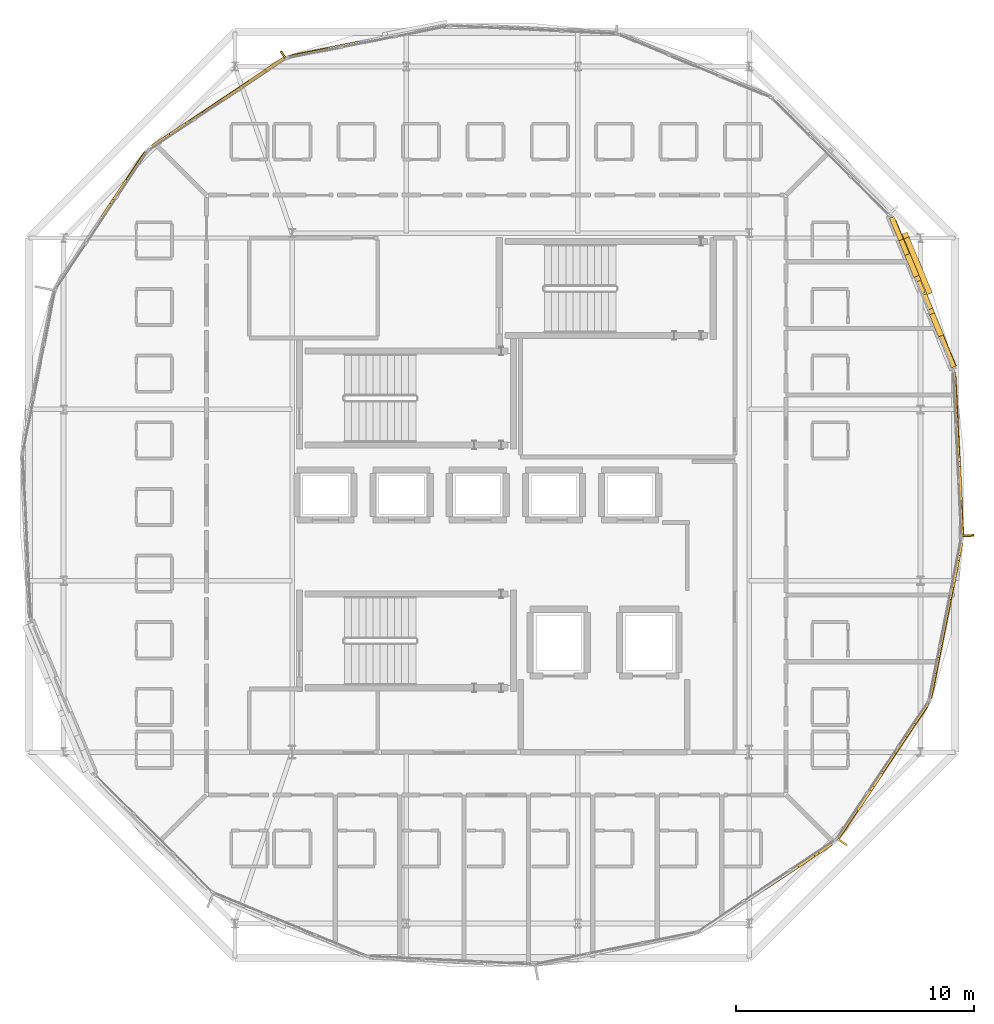
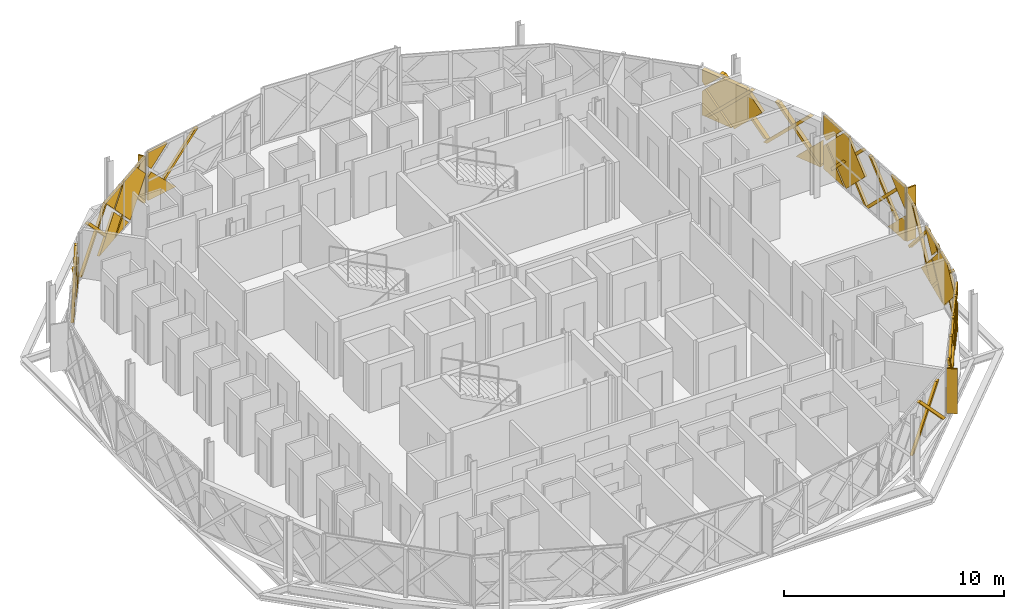
# One storey, part 23 of 24: 47 coverings, 3 shading devices.
"""IFC4 building model written with IfcOpenShell, lengths in metres."""

from ifc_helpers import new_model, si_unit, direction, frame, origin, origin_2d, place, context, subcontext, project, spatial, polyline, rectangle, outline, extrude, material, layer, layer_set, type_object, element, save


model = new_model("IFC4")

# Units and contexts
model_context = context("Model", 3, precision=1e-05, world=origin(), true_north=direction((0.0, 1.0)))
body_context = subcontext(model_context, "Body", "Model", "MODEL_VIEW")
ifc_project = project(units=[si_unit("LENGTHUNIT", "METRE"), si_unit("AREAUNIT", "SQUARE_METRE"), si_unit("VOLUMEUNIT", "CUBIC_METRE"), si_unit("PLANEANGLEUNIT", "RADIAN"), si_unit("MASSUNIT", "GRAM", prefix="KILO")], contexts=[model_context])

# Site, building, storey
site_placement = place(None, origin())
site = spatial("IfcSite", under=ifc_project, at=site_placement, CompositionType="ELEMENT")
building_placement = place(site_placement, origin())
building = spatial("IfcBuilding", under=site, at=building_placement, Name="Zevrakil Square Congress Hotel", CompositionType="ELEMENT")
storey_placement = place(building_placement, frame((0.0, 0.0, 38.5)))
storey = spatial("IfcBuildingStorey", under=building, at=storey_placement, Name="L11", CompositionType="ELEMENT", Elevation=38.5)

# Coverings
ifc_material_1 = material(Name="Architectural White Fibre-C GRC", Category="concrete")
ifc_layer_1 = layer(ifc_material_1, 0.06494140625)
ifc_layer_set_1 = layer_set([ifc_layer_1], Name="Architectural White Fibre-C GRC")
covering_type_1 = type_object("IfcCoveringType", Name="COV-DIA-WHITE", PredefinedType="CLADDING", material=ifc_layer_set_1)
covering_1_placement = place(storey_placement, frame((160.574951171875, 14.345703125, 0.080078125), z_axis=(0.831437027782, -0.555618788453, 0.000480365651), x_axis=(-0.555618852558, -0.831437123709, 0.0)))
element("IfcCovering", 1, at=covering_1_placement, inside=storey, type_object=covering_type_1, Name="L11 45-degree white GRC diamond facade cassette 3240", PredefinedType="CLADDING", context=body_context, shape_type="SweptSolid", body=[
    extrude(outline(polyline([(0.0, 0.0), (1.4100444252712594, 0.0), (1.4099097483810488, -1.4099122720444544), (0.0, 0.0)])), origin(), (0.0, 0.0, -1.0), 0.1201171875),
])
covering_2_placement = place(storey_placement, frame((163.46875, 18.677978515625, 1.590087890625), z_axis=(0.831483272257, -0.555549473724, 0.000591779476), x_axis=(0.393264991967, 0.58784125699, -0.706954950951)))
element("IfcCovering", 2, at=covering_2_placement, inside=storey, type_object=covering_type_1, Name="L11 45-degree white GRC diamond facade cassette 3241", PredefinedType="CLADDING", context=body_context, shape_type="SweptSolid", body=[
    extrude(outline(polyline([(0.0, 0.0), (0.262804522692906, 0.0), (1.198968528166046, -0.936564476282272), (-0.000346135681152937, -2.135364610145789), (0.0, 0.0)])), origin(), (0.0, 0.0, -1.0), 0.1201171875),
])
covering_3_placement = place(storey_placement, frame((163.418701171875, 18.603271484375, 1.679931640625), z_axis=(0.831478059453, -0.555557213513, 0.000647426968), x_axis=(-0.392471481488, -0.588218821993, -0.70708185783)))
element("IfcCovering", 3, at=covering_3_placement, inside=storey, type_object=covering_type_1, Name="L11 45-degree white GRC diamond facade cassette 3242", PredefinedType="CLADDING", context=body_context, shape_type="SweptSolid", body=[
    extrude(outline(polyline([(0.0, 0.0), (2.24845772033732, 0.0), (2.2486165728098086, -2.2484589853932544), (0.9263044193627555, -2.248566122470276), (3.4484981525140235e-05, -1.3223610267908612), (0.0, 0.0)])), origin(), (0.0, 0.0, -1.0), 0.1201171875),
])
covering_4_placement = place(storey_placement, frame((163.46875, 18.67822265625, 1.77001953125), z_axis=(0.831464192851, -0.555577886889, 0.000712465011), x_axis=(-0.393306459199, -0.587706064329, 0.707044278036)))
element("IfcCovering", 4, at=covering_4_placement, inside=storey, type_object=covering_type_1, Name="L11 45-degree white GRC diamond facade cassette 3243", PredefinedType="CLADDING", context=body_context, shape_type="SweptSolid", body=[
    extrude(outline(polyline([(0.0, 0.0), (1.1950745916295775, 1.1102230246251565e-16), (0.4662777330810106, -0.7286684771699515), (0.00015994559275783748, -0.26256509653317595), (0.0, 0.0)])), origin(), (0.0, 0.0, -1.0), 0.1201171875),
])
covering_5_placement = place(storey_placement, frame((164.297119140625, 22.2451171875, 1.590087890625), z_axis=(0.980788280172, -0.195074358725, 0.000586553491), x_axis=(0.138339886369, 0.693414389116, -0.707134047268)))
element("IfcCovering", 5, at=covering_5_placement, inside=storey, type_object=covering_type_1, Name="L11 45-degree white GRC diamond facade cassette 3248", PredefinedType="CLADDING", context=body_context, shape_type="SweptSolid", body=[
    extrude(outline(polyline([(0.0, 0.0), (2.135393948938125, -2.220446049250313e-16), (6.252448376709019e-05, -2.1354968457710672), (0.0, 0.0)])), origin(), (0.0, 0.0, -1.0), 0.1201171875),
])
covering_6_placement = place(storey_placement, frame((164.279296875, 22.15673828125, 1.679931640625), z_axis=(0.980787453977, -0.195078516261, 0.000585332845), x_axis=(-0.137537965889, -0.693615058865, -0.707093669929)))
element("IfcCovering", 6, at=covering_6_placement, inside=storey, type_object=covering_type_1, Name="L11 45-degree white GRC diamond facade cassette 3249", PredefinedType="CLADDING", context=body_context, shape_type="SweptSolid", body=[
    extrude(outline(polyline([(0.0, 0.0), (2.248420419782244, -2.220446049250313e-16), (2.2486724323035143, -2.2344341328283837), (2.2345167484816852, -2.248590336757846), (0.7283909774472702, -2.2485469719157805), (2.846291802305334e-05, -1.5202112273361292), (0.0, 0.0)])), origin(), (0.0, 0.0, -1.0), 0.1201171875),
])
covering_7_placement = place(storey_placement, frame((164.296875, 22.2451171875, 1.77001953125), z_axis=(0.980789728383, -0.195067353105, 0.00048626164), x_axis=(-0.138285927025, -0.693532843142, 0.707028427908)))
element("IfcCovering", 7, at=covering_7_placement, inside=storey, type_object=covering_type_1, Name="L11 45-degree white GRC diamond facade cassette 3250", PredefinedType="CLADDING", context=body_context, shape_type="SweptSolid", body=[
    extrude(outline(polyline([(0.0, 0.0), (1.3929613610637026, 1.1102230246251565e-16), (-0.00017364131932107174, -1.392826641194671), (0.0, 0.0)])), origin(), (0.0, 0.0, -1.0), 0.1201171875),
])
covering_8_placement = place(storey_placement, frame((164.936767578125, 27.351806640625, 0.080078125), z_axis=(0.998798406038, 0.049004845511, 0.000518856315), x_axis=(0.049004852108, -0.998798540482, 0.0)))
element("IfcCovering", 8, at=covering_8_placement, inside=storey, type_object=covering_type_1, Name="L11 45-degree white GRC diamond facade cassette 3255", PredefinedType="CLADDING", context=body_context, shape_type="SweptSolid", body=[
    extrude(outline(polyline([(0.0, 0.0), (1.409897059240561, 0.0), (1.4098611670148964, -1.4099122991575799), (0.0, 0.0)])), origin(), (0.0, 0.0, -1.0), 0.1201171875),
])
covering_9_placement = place(storey_placement, frame((164.680419921875, 32.555419921875, 1.590087890625), z_axis=(0.99878794559, 0.049217903302, 0.000487584763), x_axis=(-0.034459135747, 0.706290394167, -0.707083055284)))
element("IfcCovering", 9, at=covering_9_placement, inside=storey, type_object=covering_type_1, Name="L11 45-degree white GRC diamond facade cassette 3256", PredefinedType="CLADDING", context=body_context, shape_type="SweptSolid", body=[
    extrude(outline(polyline([(0.0, 0.0), (0.30177340021091126, 0.0), (1.2185738712090186, -0.9169127594483553), (-6.3531525189564064e-06, -2.1354114338640446), (0.0, 0.0)])), origin(), (0.0, 0.0, -1.0), 0.1201171875),
])
covering_10_placement = place(storey_placement, frame((164.684814453125, 32.465576171875, 1.679931640625), z_axis=(0.998799810552, 0.048974523857, 0.00065913126), x_axis=(0.035095776133, -0.706236144985, -0.707105928426)))
element("IfcCovering", 10, at=covering_10_placement, inside=storey, type_object=covering_type_1, Name="L11 45-degree white GRC diamond facade cassette 3257", PredefinedType="CLADDING", context=body_context, shape_type="SweptSolid", body=[
    extrude(outline(polyline([(0.0, 0.0), (2.248381256977444, 0.0), (2.2484905066596963, -2.2484860318572206), (0.28270633149256175, -2.2486545281806385), (-0.0002322015715268133, -1.965716493798272), (0.0, 0.0)])), origin(), (0.0, 0.0, -1.0), 0.1201171875),
])
covering_11_placement = place(storey_placement, frame((165.0048828125, 25.943603515625, 1.8701171875), z_axis=(0.998797385346, 0.049024474515, 0.000619616812), x_axis=(-0.000610376272, -0.000203458757, 0.999999793023)))
element("IfcCovering", 11, at=covering_11_placement, inside=storey, type_object=covering_type_1, Name="L11 45-degree white GRC diamond facade cassette 3258", PredefinedType="CLADDING", context=body_context, shape_type="SweptSolid", body=[
    extrude(outline(polyline([(0.0, 0.0), (1.1999514202377668, 5.421010862427522e-20), (1.1997434412783978, -1.2001735669591904), (0.0, 0.0)])), origin(), (0.0, 0.0, -1.0), 0.1201171875),
])
covering_12_placement = place(storey_placement, frame((164.68017578125, 32.555419921875, 1.77001953125), z_axis=(0.998799115191, 0.048989504554, 0.000596605037), x_axis=(0.034217001188, -0.706228891304, 0.707156241517)))
element("IfcCovering", 12, at=covering_12_placement, inside=storey, type_object=covering_type_1, Name="L11 45-degree white GRC diamond facade cassette 3259", PredefinedType="CLADDING", context=body_context, shape_type="SweptSolid", body=[
    extrude(outline(polyline([(0.0, 0.0), (1.838418021567899, -2.220446049250313e-16), (0.7684314408977088, -1.0701367332707652), (1.1084454739018756e-05, -0.3017734048729823), (0.0, 0.0)])), origin(), (0.0, 0.0, -1.0), 0.1201171875),
])
covering_13_placement = place(storey_placement, frame((164.150146484375, 34.323974609375, 0.080078125), z_axis=(0.923894304185, 0.382647378607, 0.000546204379), x_axis=(0.382647435687, -0.923894442002, 0.0)))
element("IfcCovering", 13, at=covering_13_placement, inside=storey, type_object=covering_type_1, Name="L11 45-degree white GRC diamond facade cassette 3264", PredefinedType="CLADDING", context=body_context, shape_type="SweptSolid", body=[
    extrude(outline(polyline([(0.0, 0.0), (1.4100467713356626, -5.421010862427522e-20), (1.4099920721498573, -1.4099123196910894), (0.0, 0.0)])), origin(), (0.0, 0.0, -1.0), 0.2099609375),
])
covering_14_placement = place(storey_placement, frame((162.155517578125, 39.136962890625, 1.590087890625), z_axis=(0.92386810369, 0.382710638562, 0.000542324282), x_axis=(-0.270236009364, 0.653355103566, -0.707177211092)))
element("IfcCovering", 14, at=covering_14_placement, inside=storey, type_object=covering_type_1, Name="L11 45-degree white GRC diamond facade cassette 3265", PredefinedType="CLADDING", context=body_context, shape_type="SweptSolid", body=[
    extrude(outline(polyline([(0.0, 0.0), (0.26272196635071365, 2.7755575615628914e-17), (1.1991408726097759, -0.9363095231817212), (0.00019873089311528425, -2.135490849810203), (0.0, 0.0)])), origin(), (0.0, 0.0, -1.0), 0.2099609375),
])
covering_15_placement = place(storey_placement, frame((162.18994140625, 39.0537109375, 1.679931640625), z_axis=(0.92385476621, 0.382742685687, 0.00063836083), x_axis=(0.271063503858, -0.653107011527, -0.707089674915)))
element("IfcCovering", 15, at=covering_15_placement, inside=storey, type_object=covering_type_1, Name="L11 45-degree white GRC diamond facade cassette 3266", PredefinedType="CLADDING", context=body_context, shape_type="SweptSolid", body=[
    extrude(outline(polyline([(0.0, 0.0), (2.2484328962418907, 0.0), (2.248556698348155, -2.248448852619614), (0.9262631977728275, -2.248559885983574), (-5.904174442106225e-05, -1.3222821618463294), (0.0, 0.0)])), origin(), (0.0, 0.0, -1.0), 0.2099609375),
])
covering_16_placement = place(storey_placement, frame((162.155517578125, 39.136962890625, 1.77001953125), z_axis=(0.923918101446, 0.382589810479, 0.000615416575), x_axis=(0.270145401407, -0.65351287383, 0.707066040647)))
element("IfcCovering", 16, at=covering_16_placement, inside=storey, type_object=covering_type_1, Name="L11 45-degree white GRC diamond facade cassette 3267", PredefinedType="CLADDING", context=body_context, shape_type="SweptSolid", body=[
    extrude(outline(polyline([(0.0, 0.0), (1.19503795671964, 0.0), (0.4661222965424733, -0.7288318738356204), (-5.4870747414392795e-05, -0.2627880767490778), (0.0, 0.0)])), origin(), (0.0, 0.0, -1.0), 0.2099609375),
])
covering_17_placement = place(storey_placement, frame((136.829833984375, 46.097412109375, 1.590087890625), z_axis=(-0.194971723674, 0.980808707154, 0.000554020218), x_axis=(-0.693402920388, -0.137439738844, -0.707320795809)))
element("IfcCovering", 17, at=covering_17_placement, inside=storey, type_object=covering_type_1, Name="L11 45-degree white GRC diamond facade cassette 3295", PredefinedType="CLADDING", context=body_context, shape_type="SweptSolid", body=[
    extrude(outline(polyline([(0.0, 0.0), (0.26266864882056007, -5.551115123125783e-17), (1.1993847328466603, -0.936012217217322), (0.0007631263820329082, -2.1353600516351436), (0.0, 0.0)])), origin(), (0.0, 0.0, -1.0), 0.1201171875),
])
covering_18_placement = place(storey_placement, frame((136.829833984375, 46.09716796875, 1.77001953125), z_axis=(-0.195202943681, 0.980762680126, 0.000613229726), x_axis=(0.693598359684, 0.137605999384, 0.707096814006)))
element("IfcCovering", 18, at=covering_18_placement, inside=storey, type_object=covering_type_1, Name="L11 45-degree white GRC diamond facade cassette 3297", PredefinedType="CLADDING", context=body_context, shape_type="SweptSolid", body=[
    extrude(outline(polyline([(0.0, 0.0), (1.3928266519740102, 0.0), (0.5649965003585307, -0.8278071160206792), (4.2237604014366825e-05, -0.2627023425659295), (0.0, 0.0)])), origin(), (0.0, 0.0, -1.0), 0.1201171875),
])
covering_19_placement = place(storey_placement, frame((133.721923828125, 44.160888671875, 1.590087890625), z_axis=(-0.55561388907, 0.831440251576, 0.000560652442), x_axis=(-0.588172468812, -0.392572256151, -0.707064474169)))
element("IfcCovering", 19, at=covering_19_placement, inside=storey, type_object=covering_type_1, Name="L11 45-degree white GRC diamond facade cassette 3302", PredefinedType="CLADDING", context=body_context, shape_type="SweptSolid", body=[
    extrude(outline(polyline([(0.0, 0.0), (2.135604065526496, 2.220446049250313e-16), (-1.6773891793997464e-05, -2.1353659801476814), (0.0, 0.0)])), origin(), (0.0, 0.0, -1.0), 0.1201171875),
])
covering_20_placement = place(storey_placement, frame((133.796875, 44.210693359375, 1.679931640625), z_axis=(-0.55557855826, 0.831463837015, 0.000594423054), x_axis=(0.587746316859, 0.393233625323, -0.707051329773)))
element("IfcCovering", 20, at=covering_20_placement, inside=storey, type_object=covering_type_1, Name="L11 45-degree white GRC diamond facade cassette 3303", PredefinedType="CLADDING", context=body_context, shape_type="SweptSolid", body=[
    extrude(outline(polyline([(0.0, 0.0), (2.2485549959864666, -2.220446049250313e-16), (2.2488002232450603, -2.234293488635683), (2.234645387053314, -2.248450539961537), (0.9264486368445496, -2.2485729934455434), (-4.855077620935511e-06, -1.3222643807693255), (0.0, 0.0)])), origin(), (0.0, 0.0, -1.0), 0.1201171875),
])
covering_21_placement = place(storey_placement, frame((133.721923828125, 44.16064453125, 1.77001953125), z_axis=(-0.555533367766, 0.831494026395, 0.000601138715), x_axis=(0.588195632806, 0.392470931094, 0.707101453679)))
element("IfcCovering", 21, at=covering_21_placement, inside=storey, type_object=covering_type_1, Name="L11 45-degree white GRC diamond facade cassette 3304", PredefinedType="CLADDING", context=body_context, shape_type="SweptSolid", body=[
    extrude(outline(polyline([(0.0, 0.0), (1.1949780314114054, 1.1102230246251565e-16), (0.00012534663264363033, -1.1948351121512695), (0.0, 0.0)])), origin(), (0.0, 0.0, -1.0), 0.1201171875),
])
covering_22_placement = place(storey_placement, frame((129.824951171875, 40.854248046875, 0.080078125), z_axis=(-0.831436961663, 0.555618744269, 0.000624337381), x_axis=(0.555618852558, 0.831437123709, 0.0)))
element("IfcCovering", 22, at=covering_22_placement, inside=storey, type_object=covering_type_1, Name="L11 45-degree white GRC diamond facade cassette 3309", PredefinedType="CLADDING", context=body_context, shape_type="SweptSolid", body=[
    extrude(outline(polyline([(0.0, 0.0), (1.4100444252712594, 5.421010862427522e-20), (1.410045397514974, -1.409912384164952), (0.0, 0.0)])), origin(), (0.0, 0.0, -1.0), 0.1201171875),
])
ifc_material_2 = material(Name="Anodised Champagne Aluminium", Category="aluminium")
ifc_layer_2 = layer(ifc_material_2, 0.0849609375)
ifc_layer_set_2 = layer_set([ifc_layer_2], Name="Anodised Champagne Aluminium")
covering_type_2 = type_object("IfcCoveringType", Name="COV-DIAGRID-45", PredefinedType="MOLDING", material=ifc_layer_set_2)
covering_23_placement = place(storey_placement, frame((156.84716796875, 11.12109375, 0.080078125), z_axis=(0.555761832903, -0.831341458121, 0.00040632208), x_axis=(-0.831341526718, -0.555761878824, -1.29981e-07)))
element("IfcCovering", 23, at=covering_23_placement, inside=storey, type_object=covering_type_2, Name="L11 45-degree aluminium diagrid rib 3237", PredefinedType="MOLDING", context=body_context, shape_type="SweptSolid", body=[
    extrude(outline(polyline([(0.0, 0.0), (0.21207557855529022, 0.0), (-2.3227428960465, -2.534912016717501), (-2.5350214388417114, -2.5349119615596933), (0.0, 0.0)])), origin(), (0.0, 0.0, -1.0), 0.14501953125),
])
covering_24_placement = place(storey_placement, frame((157.222900390625, 11.373779296875, 2.614990234375), z_axis=(0.555761714437, -0.831341280913, 0.000769036267), x_axis=(0.831341526852, 0.555761878623, -2.45776e-07)))
element("IfcCovering", 24, at=covering_24_placement, inside=storey, type_object=covering_type_2, Name="L11 45-degree aluminium diagrid rib 3239", PredefinedType="MOLDING", context=body_context, shape_type="SweptSolid", body=[
    extrude(outline(polyline([(0.0, 0.0), (0.21227854279522335, 0.0), (2.747161220083455, -2.534912183783795), (2.535085641528186, -2.5349122880798682), (0.0, 0.0)])), origin(), (0.0, 0.0, -1.0), 0.14501953125),
])
covering_25_placement = place(storey_placement, frame((159.860107421875, 13.23095703125, 0.080078125), z_axis=(0.831538103526, -0.555467513901, 0.000472635487), x_axis=(-0.555467575625, -0.831538196615, -8.08482e-07)))
element("IfcCovering", 25, at=covering_25_placement, inside=storey, type_object=covering_type_2, Name="L11 45-degree aluminium diagrid rib 3244", PredefinedType="MOLDING", context=body_context, shape_type="SweptSolid", body=[
    extrude(outline(polyline([(0.0, 0.0), (0.08592696993527277, 3.3881317890172014e-21), (0.08606248028654954, -0.12597664448980078), (-2.322809069665967, -2.534910481070411), (-2.535087623176476, -2.5349103059978075), (0.0, 0.0)])), origin(), (0.0, 0.0, -1.0), 0.14501953125),
])
covering_26_placement = place(storey_placement, frame((161.726806640625, 16.024658203125, 0.080078125), z_axis=(0.831607286361, -0.555364035528, 0.000330626784), x_axis=(-0.555364065868, -0.831607331823, -5.2605e-08)))
element("IfcCovering", 26, at=covering_26_placement, inside=storey, type_object=covering_type_2, Name="L11 45-degree aluminium diagrid rib 3245", PredefinedType="MOLDING", context=body_context, shape_type="SweptSolid", body=[
    extrude(outline(polyline([(0.0, 0.0), (0.2119399348937807, 6.776263578034403e-21), (-2.32280727590272, -2.534912125734527), (-2.53508582686039, -2.5349121034185154), (0.0, 0.0)])), origin(), (0.0, 0.0, -1.0), 0.14501953125),
])
covering_27_placement = place(storey_placement, frame((160.110595703125, 13.6083984375, 2.614990234375), z_axis=(0.831163697009, -0.556027791766, 5.9649772e-05), x_axis=(0.556027792755, 0.831163698488, 0.0)))
element("IfcCovering", 27, at=covering_27_placement, inside=storey, type_object=covering_type_2, Name="L11 45-degree aluminium diagrid rib 3246", PredefinedType="MOLDING", context=body_context, shape_type="SweptSolid", body=[
    extrude(outline(polyline([(0.0, 0.0), (0.2120755894064681, 0.0), (2.747096876837504, -2.53491211388473), (2.535021287431036, -2.53491211388473), (0.0, 0.0)])), origin(), (0.0, 0.0, -1.0), 0.14501953125),
])
covering_28_placement = place(storey_placement, frame((161.977294921875, 16.402099609375, 2.614990234375), z_axis=(0.831341458121, -0.555761832903, 0.00040632208), x_axis=(0.555761878737, 0.831341526777, 1.29856e-07)))
element("IfcCovering", 28, at=covering_28_placement, inside=storey, type_object=covering_type_2, Name="L11 45-degree aluminium diagrid rib 3247", PredefinedType="MOLDING", context=body_context, shape_type="SweptSolid", body=[
    extrude(outline(polyline([(0.0, 0.0), (0.21227854279521874, -1.3552527156068805e-20), (2.7470963587331316, -2.534912675356901), (2.535020780177849, -2.5349126202518306), (0.0, 0.0)])), origin(), (0.0, 0.0, -1.0), 0.14501953125),
])
covering_29_placement = place(storey_placement, frame((163.703125, 19.126953125, 0.080078125), z_axis=(0.980856543644, -0.194731523999, 0.000272676815), x_axis=(-0.194731531098, -0.980856580136, -5.24959e-07)))
element("IfcCovering", 29, at=covering_29_placement, inside=storey, type_object=covering_type_2, Name="L11 45-degree aluminium diagrid rib 3251", PredefinedType="MOLDING", context=body_context, shape_type="SweptSolid", body=[
    extrude(outline(polyline([(0.0, 0.0), (0.08608840840861715, -8.470329472543003e-22), (0.08613588415380946, -0.1259766231386768), (-2.463043391720974, -2.6748034696562892), (-2.6751038006641816, -2.6748033680861814), (0.0, 0.0)])), origin(), (0.0, 0.0, -1.0), 0.14501953125),
])
covering_30_placement = place(storey_placement, frame((164.358642578125, 22.42236328125, 0.080078125), z_axis=(0.980889407141, -0.194566091322, 8.4065619e-05), x_axis=(-0.19456609201, -0.980889410606, 0.0)))
element("IfcCovering", 30, at=covering_30_placement, inside=storey, type_object=covering_type_2, Name="L11 45-degree aluminium diagrid rib 3252", PredefinedType="MOLDING", context=body_context, shape_type="SweptSolid", body=[
    extrude(outline(polyline([(0.0, 0.0), (0.21206041195957603, -4.235164736271502e-22), (-2.4630420605189185, -2.6748046969514605), (-2.6751024724784944, -2.6748046969514605), (0.0, 0.0)])), origin(), (0.0, 0.0, -1.0), 0.14501953125),
])
covering_31_placement = place(storey_placement, frame((163.7626953125, 19.43408203125, 2.7548828125), z_axis=(0.98075739596, -0.195230039478, 0.00040243602), x_axis=(0.195230055359, 0.980757475365, -1.81933e-07)))
element("IfcCovering", 31, at=covering_31_placement, inside=storey, type_object=covering_type_2, Name="L11 45-degree aluminium diagrid rib 3253", PredefinedType="MOLDING", context=body_context, shape_type="SweptSolid", body=[
    extrude(outline(polyline([(0.0, 0.0), (0.2121080269585155, 0.0), (2.8870638557398607, -2.674804378846949), (2.6752429351120885, -2.674804455973555), (0.0, 0.0)])), origin(), (0.0, 0.0, -1.0), 0.14501953125),
])
covering_32_placement = place(storey_placement, frame((164.418212890625, 22.7294921875, 2.7548828125), z_axis=(0.980822884804, -0.194899740884, 0.000748095817), x_axis=(0.194899795731, 0.9808231592, -4.21804e-07)))
element("IfcCovering", 32, at=covering_32_placement, inside=storey, type_object=covering_type_2, Name="L11 45-degree aluminium diagrid rib 3254", PredefinedType="MOLDING", context=body_context, shape_type="SweptSolid", body=[
    extrude(outline(polyline([(0.0, 0.0), (0.212347441423878, 3.3881317890172014e-21), (2.887303429984896, -2.6748042180973437), (2.6750035715189604, -2.674804397215384), (0.0, 0.0)])), origin(), (0.0, 0.0, -1.0), 0.14501953125),
])
covering_33_placement = place(storey_placement, frame((165.026611328125, 26.03076171875, 0.080078125), z_axis=(0.998784557489, 0.049287620149, 0.000371781618), x_axis=(0.049287623802, -0.998784626503, -6.63356e-07)))
element("IfcCovering", 33, at=covering_33_placement, inside=storey, type_object=covering_type_2, Name="L11 45-degree aluminium diagrid rib 3260", PredefinedType="MOLDING", context=body_context, shape_type="SweptSolid", body=[
    extrude(outline(polyline([(0.0, 0.0), (0.086049649843171, -4.235164736271502e-22), (0.08603753316462101, -0.12597664444233123), (-2.7778428044799406, -2.9899885670535973), (-2.9900167360298497, -2.9899884413815383), (0.0, 0.0)])), origin(), (0.0, 0.0, -1.0), 0.14501953125),
])
covering_34_placement = place(storey_placement, frame((164.86181640625, 29.38671875, 0.080078125), z_axis=(0.998775175436, 0.049478493714, 0.000166111828), x_axis=(0.049478494397, -0.998775189215, 0.0)))
element("IfcCovering", 34, at=covering_34_placement, inside=storey, type_object=covering_type_2, Name="L11 45-degree aluminium diagrid rib 3261", PredefinedType="MOLDING", context=body_context, shape_type="SweptSolid", body=[
    extrude(outline(polyline([(0.0, 0.0), (0.21217393542432023, 2.117582368135751e-22), (-2.7778409666938026, -2.9899902756266097), (-2.990014902118123, -2.9899902756266097), (0.0, 0.0)])), origin(), (0.0, 0.0, -1.0), 0.14501953125),
])
covering_35_placement = place(storey_placement, frame((165.02490234375, 26.028564453125, 3.070068359375), z_axis=(0.998803359306, 0.048904542362, 0.000441787248), x_axis=(-0.048904547023, 0.998803456782, -2.53884e-07)))
element("IfcCovering", 35, at=covering_35_placement, inside=storey, type_object=covering_type_2, Name="L11 45-degree aluminium diagrid rib 3262", PredefinedType="MOLDING", context=body_context, shape_type="SweptSolid", body=[
    extrude(outline(polyline([(0.0, 0.0), (0.21216196080616767, 0.0), (3.202009688739184, -2.9899897132224575), (2.9898357883463405, -2.9899898209546465), (0.0, 0.0)])), origin(), (0.0, 0.0, -1.0), 0.14501953125),
])
covering_36_placement = place(storey_placement, frame((164.860107421875, 29.384521484375, 3.070068359375), z_axis=(0.998800574048, 0.048960812453, 0.000502121176), x_axis=(-0.048960818481, 0.998800699967, -2.88888e-07)))
element("IfcCovering", 36, at=covering_36_placement, inside=storey, type_object=covering_type_2, Name="L11 45-degree aluminium diagrid rib 3263", PredefinedType="MOLDING", context=body_context, shape_type="SweptSolid", body=[
    extrude(outline(polyline([(0.0, 0.0), (0.21191810577323364, -8.470329472543003e-22), (3.2020097138976995, -2.989989686279953), (2.9900796547996418, -2.9899898087245638), (0.0, 0.0)])), origin(), (0.0, 0.0, -1.0), 0.14501953125),
])
covering_37_placement = place(storey_placement, frame((164.679931640625, 33.1103515625, 0.080078125), z_axis=(0.923942507112, 0.382530612746, 0.000757537824), x_axis=(0.382530722547, -0.923942772204, -5.8523e-08)))
element("IfcCovering", 37, at=covering_37_placement, inside=storey, type_object=covering_type_2, Name="L11 45-degree aluminium diagrid rib 3268", PredefinedType="MOLDING", context=body_context, shape_type="SweptSolid", body=[
    extrude(outline(polyline([(0.0, 0.0), (0.08614428498102733, 3.3881317890172014e-21), (0.08614427760855964, -0.12597652635331566), (-2.322924617894406, -2.5349127144246113), (-2.53506481466327, -2.5349126237461674), (0.0, 0.0)])), origin(), (0.0, 0.0, -1.0), 0.235107421875),
])
covering_38_placement = place(storey_placement, frame((163.39404296875, 36.214599609375, 0.080078125), z_axis=(-0.92363779134, -0.383266522762, 5.4205413e-05), x_axis=(0.383266523324, -0.923637792697, -1.1949e-08)))
element("IfcCovering", 38, at=covering_38_placement, inside=storey, type_object=covering_type_2, Name="L11 45-degree aluminium diagrid rib 3269", PredefinedType="MOLDING", context=body_context, shape_type="SweptSolid", body=[
    extrude(outline(polyline([(0.0, 0.0), (0.21223361811596553, 0.0), (-2.322831735921328, 2.5349120853430547), (-2.534839856529311, 2.534912080273698), (0.0, 0.0)])), origin(), (0.0, 0.0, -1.0), 0.235107421875),
])
covering_39_placement = place(storey_placement, frame((164.505126953125, 33.528076171875, 2.614990234375), z_axis=(0.923925581705, 0.382571925177, 0.000491464572), x_axis=(-0.382571971261, 0.923925693336, -2.61286e-07)))
element("IfcCovering", 39, at=covering_39_placement, inside=storey, type_object=covering_type_2, Name="L11 45-degree aluminium diagrid rib 3270", PredefinedType="MOLDING", context=body_context, shape_type="SweptSolid", body=[
    extrude(outline(polyline([(0.0, 0.0), (0.21214019194507416, 0.0), (2.7470804562153233, -2.5349116977391875), (2.534846862910078, -2.5349118086221725), (0.0, 0.0)])), origin(), (0.0, 0.0, -1.0), 0.235107421875),
])
covering_40_placement = place(storey_placement, frame((163.219482421875, 36.63232421875, 2.614990234375), z_axis=(0.923637108373, 0.383266239362, 0.001217293054), x_axis=(-0.383266523023, 0.923637792822, -2.68344e-07)))
element("IfcCovering", 40, at=covering_40_placement, inside=storey, type_object=covering_type_2, Name="L11 45-degree aluminium diagrid rib 3271", PredefinedType="MOLDING", context=body_context, shape_type="SweptSolid", body=[
    extrude(outline(polyline([(0.0, 0.0), (0.21223361811597313, 1.3552527156068805e-20), (2.7471723319098618, -2.5349132503093283), (2.5351642113019017, -2.5349133641520587), (0.0, 0.0)])), origin(), (0.0, 0.0, -1.0), 0.235107421875),
])
covering_41_placement = place(storey_placement, frame((139.631103515625, 46.67919921875, 2.7548828125), z_axis=(-0.194566091322, 0.980889407141, 8.4065619e-05), x_axis=(-0.980889410606, -0.19456609201, 0.0)))
element("IfcCovering", 41, at=covering_41_placement, inside=storey, type_object=covering_type_2, Name="L11 45-degree aluminium diagrid rib 3301", PredefinedType="MOLDING", context=body_context, shape_type="SweptSolid", body=[
    extrude(outline(polyline([(0.0, 0.0), (0.21206041195957603, 4.235164736271502e-22), (2.887162884438071, -2.6748046969514605), (2.6751024724784944, -2.6748046969514605), (0.0, 0.0)])), origin(), (0.0, 0.0, -1.0), 0.14501953125),
])
covering_42_placement = place(storey_placement, frame((136.3466796875, 45.94580078125, 0.080078125), z_axis=(-0.555364712617, 0.831606468941, 0.00084663732), x_axis=(0.831606767618, 0.555364910712, 1.343719e-06)))
element("IfcCovering", 42, at=covering_42_placement, inside=storey, type_object=covering_type_2, Name="L11 45-degree aluminium diagrid rib 3305", PredefinedType="MOLDING", context=body_context, shape_type="SweptSolid", body=[
    extrude(outline(polyline([(0.0, 0.0), (0.08592698742698046, 6.776263578034403e-21), (0.08592715670402057, -0.12597651735020882), (-2.323077020015039, -2.534916190428778), (-2.5353555710066664, -2.5349165040382586), (0.0, 0.0)])), origin(), (0.0, 0.0, -1.0), 0.14501953125),
])
covering_43_placement = place(storey_placement, frame((133.552734375, 44.078857421875, 0.080078125), z_axis=(-0.555496026489, 0.831518896795, 0.000699162235), x_axis=(0.83151910003, 0.55549616226, 0.0)))
element("IfcCovering", 43, at=covering_43_placement, inside=storey, type_object=covering_type_2, Name="L11 45-degree aluminium diagrid rib 3306", PredefinedType="MOLDING", context=body_context, shape_type="SweptSolid", body=[
    extrude(outline(polyline([(0.0, 0.0), (0.21227855363602155, -1.3552527156068805e-20), (-2.3227421187630615, -2.5349127289430218), (-2.5350206723990825, -2.5349127289430218), (0.0, 0.0)])), origin(), (0.0, 0.0, -1.0), 0.14501953125),
])
covering_44_placement = place(storey_placement, frame((135.970947265625, 45.69287109375, 2.614990234375), z_axis=(-0.55549609928, 0.831519005754, 0.00047618803), x_axis=(-0.83151910003, -0.55549616226, 0.0)))
element("IfcCovering", 44, at=covering_44_placement, inside=storey, type_object=covering_type_2, Name="L11 45-degree aluminium diagrid rib 3307", PredefinedType="MOLDING", context=body_context, shape_type="SweptSolid", body=[
    extrude(outline(polyline([(0.0, 0.0), (0.21227855363602155, 0.0), (2.747364087382175, -2.5349123967770977), (2.5350855337461535, -2.5349123967770977), (0.0, 0.0)])), origin(), (0.0, 0.0, -1.0), 0.14501953125),
])
covering_45_placement = place(storey_placement, frame((133.177001953125, 43.826171875, 2.614990234375), z_axis=(-0.555761714437, 0.831341280913, 0.000769036267), x_axis=(-0.831341526642, -0.555761878938, 2.46011e-07)))
element("IfcCovering", 45, at=covering_45_placement, inside=storey, type_object=covering_type_2, Name="L11 45-degree aluminium diagrid rib 3308", PredefinedType="MOLDING", context=body_context, shape_type="SweptSolid", body=[
    extrude(outline(polyline([(0.0, 0.0), (0.21207557855529482, 0.0), (2.747159973445538, -2.534913534802451), (2.53488143065034, -2.534913430406563), (0.0, 0.0)])), origin(), (0.0, 0.0, -1.0), 0.14501953125),
])
covering_46_placement = place(storey_placement, frame((130.539794921875, 41.968994140625, 0.080078125), z_axis=(-0.831794527761, 0.555083654476, 1.1027624e-05), x_axis=(0.555083654509, 0.831794527811, 1.227e-08)))
element("IfcCovering", 46, at=covering_46_placement, inside=storey, type_object=covering_type_2, Name="L11 45-degree aluminium diagrid rib 3313", PredefinedType="MOLDING", context=body_context, shape_type="SweptSolid", body=[
    extrude(outline(polyline([(0.0, 0.0), (0.08606254710265976, 1.0587911840678754e-22), (0.08606254864835407, -0.12597656249234007), (-2.3228072620031517, -2.5349121383271522), (-2.5349502710561196, -2.5349121420083987), (0.0, 0.0)])), origin(), (0.0, 0.0, -1.0), 0.14501953125),
])
covering_47_placement = place(storey_placement, frame((130.28955078125, 41.591552734375, 2.614990234375), z_axis=(-0.831163697009, 0.556027791766, 5.9649772e-05), x_axis=(-0.556027792755, -0.831163698488, 0.0)))
element("IfcCovering", 47, at=covering_47_placement, inside=storey, type_object=covering_type_2, Name="L11 45-degree aluminium diagrid rib 3315", PredefinedType="MOLDING", context=body_context, shape_type="SweptSolid", body=[
    extrude(outline(polyline([(0.0, 0.0), (0.2120755894064681, 0.0), (2.747096876837504, -2.53491211388473), (2.535021287431036, -2.53491211388473), (0.0, 0.0)])), origin(), (0.0, 0.0, -1.0), 0.14501953125),
])

# Shading devices
ifc_material_3 = material(Name="Aluminium Anodised Bronze", Category="aluminium")
shading_device_type_1 = type_object("IfcShadingDeviceType", Name="SHD-FIN-35", PredefinedType="JALOUSIE", material=ifc_material_3)
shading_device_1_placement = place(storey_placement, frame((136.42626953125, 46.089111328125, 0.099853515625), z_axis=(0.0, 0.0, 1.0), x_axis=(-0.55557023302, 0.831469612303, 0.0)))
element("IfcShadingDevice", 48, at=shading_device_1_placement, inside=storey, type_object=shading_device_type_1, Name="L11 aluminium solar shading fin 184", PredefinedType="JALOUSIE", context=body_context, shape_type="SweptSolid", body=[
    extrude(rectangle(XDim=0.35009765625, YDim=0.080078125, at=origin_2d()), origin(), (0.0, 0.0, 1.0), 2.4951171875),
])
ifc_material_4 = material(Name="Aluminium Anodised Bronze", Category="aluminium")
shading_device_type_2 = type_object("IfcShadingDeviceType", Name="SHD-FIN-50", PredefinedType="JALOUSIE", material=ifc_material_4)
shading_device_2_placement = place(storey_placement, frame((159.90380859375, 13.026123046875, 0.099853515625), z_axis=(0.0, 0.0, 1.0), x_axis=(0.831469612303, -0.55557023302, 0.0)))
element("IfcShadingDevice", 49, at=shading_device_2_placement, inside=storey, type_object=shading_device_type_2, Name="L11 aluminium solar shading fin 180", PredefinedType="JALOUSIE", context=body_context, shape_type="SweptSolid", body=[
    extrude(rectangle(XDim=0.5, YDim=0.080078125, at=origin_2d()), origin(), (0.0, 0.0, 1.0), 2.4951171875),
])
shading_device_3_placement = place(storey_placement, frame((165.18359375, 25.89208984375, 0.10009765625), z_axis=(0.0, 0.0, 1.0), x_axis=(0.998795884363, 0.049058958191, 0.0)))
element("IfcShadingDevice", 50, at=shading_device_3_placement, inside=storey, type_object=shading_device_type_2, Name="L11 aluminium solar shading fin 181", PredefinedType="JALOUSIE", context=body_context, shape_type="SweptSolid", body=[
    extrude(rectangle(XDim=0.5, YDim=0.080078125, at=origin_2d()), origin(), (0.0, 0.0, 1.0), 2.949951171875),
])

save(model, "model.ifc")
